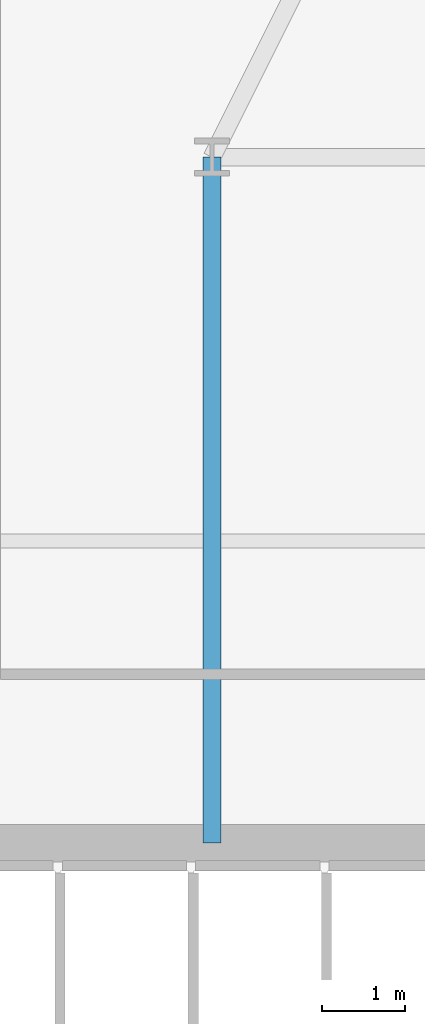
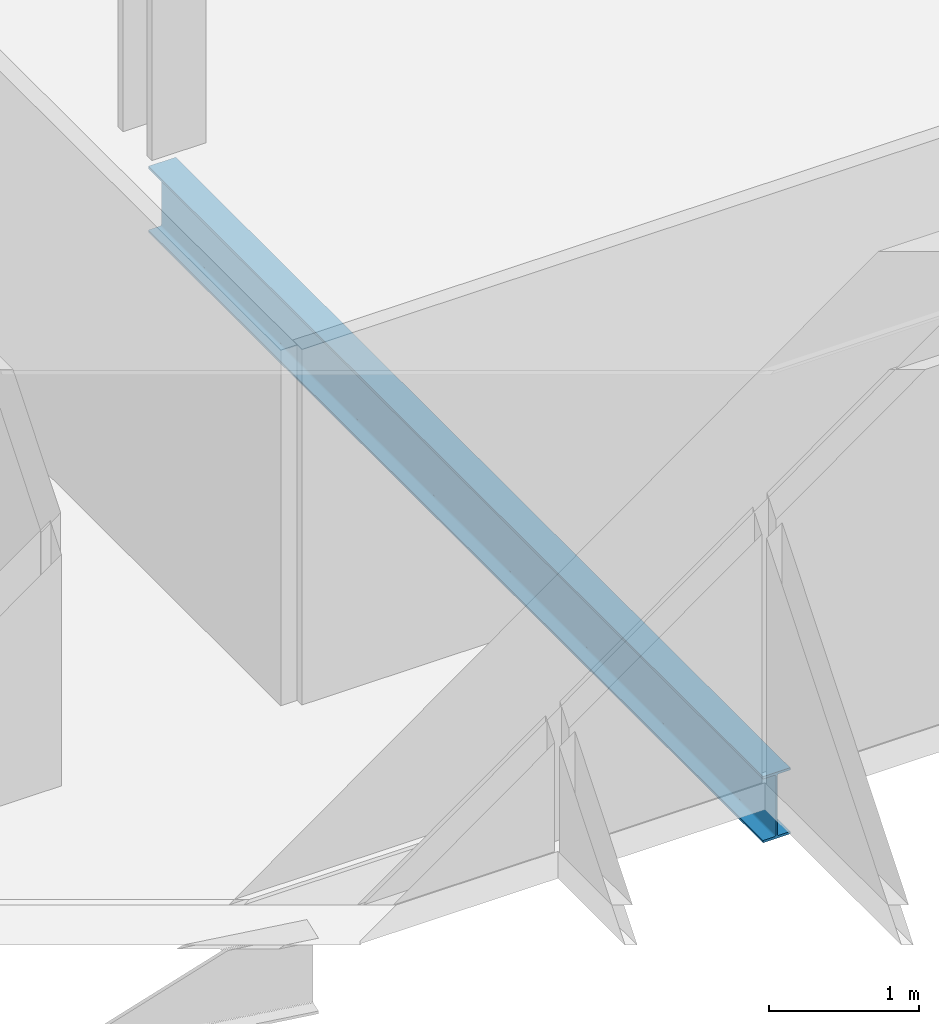
# One storey, part 5 of 33: 1 beam.
"""IFC4 building model written with IfcOpenShell, lengths in metres."""

from ifc_helpers import new_model, si_unit, direction, frame, origin, origin_2d, place, context, subcontext, project, spatial, i_section, extrude, material, material_profile, profile_set, type_object, element, save


model = new_model("IFC4")

# Units and contexts
model_context = context("Model", 3, precision=1e-05, world=origin(), true_north=direction((0.0, 1.0)))
body_context = subcontext(model_context, "Body", "Model", "MODEL_VIEW")
ifc_project = project(units=[si_unit("LENGTHUNIT", "METRE"), si_unit("AREAUNIT", "SQUARE_METRE"), si_unit("VOLUMEUNIT", "CUBIC_METRE"), si_unit("PLANEANGLEUNIT", "RADIAN"), si_unit("MASSUNIT", "GRAM", prefix="KILO")], contexts=[model_context])

# Site, building, storey
site_placement = place(None, origin())
site = spatial("IfcSite", under=ifc_project, at=site_placement, CompositionType="ELEMENT")
building_placement = place(site_placement, origin())
building = spatial("IfcBuilding", under=site, at=building_placement, Name="Ndaravel Arena Tower", CompositionType="ELEMENT")
storey_placement = place(building_placement, frame((0.0, 0.0, 43.60009765625)))
storey = spatial("IfcBuildingStorey", under=building, at=storey_placement, Name="L08", CompositionType="ELEMENT", Elevation=43.60009765625)

# Beam
ifc_material = material(Name="Steel S355", Category="steel")
ifc_material_profile = material_profile(ifc_material, i_section(OverallWidth=0.210693359375, OverallDepth=0.53955078125, WebThickness=0.01171875, FlangeThickness=0.018798828125, FilletRadius=0.0126953125, at=origin_2d()), Name="UB 533x210x109")
ifc_profile_set = profile_set([ifc_material_profile], Name="Steel S355")
beam_type = type_object("IfcBeamType", Name="BM-GIRD-UB533", PredefinedType="BEAM", material=ifc_profile_set)
beam_placement = place(storey_placement, frame((34.199951171875, 14.97998046875, -0.48974609375), z_axis=(0.0, 1.0, 0.0), x_axis=(-1.0, 0.0, 0.0)))
element("IfcBeam", 1, at=beam_placement, inside=storey, type_object=beam_type, Name="L08 Spine Link Girder SLG-01", PredefinedType="BEAM", context=body_context, shape_type="SweptSolid", body=[
    extrude(i_section(OverallWidth=0.210693359375, OverallDepth=0.53955078125, WebThickness=0.01171875, FlangeThickness=0.018798828125, FilletRadius=0.0126953125, at=origin_2d()), origin(), (0.0, 0.0, 1.0), 8.219970703125),
])

save(model, "model.ifc")
